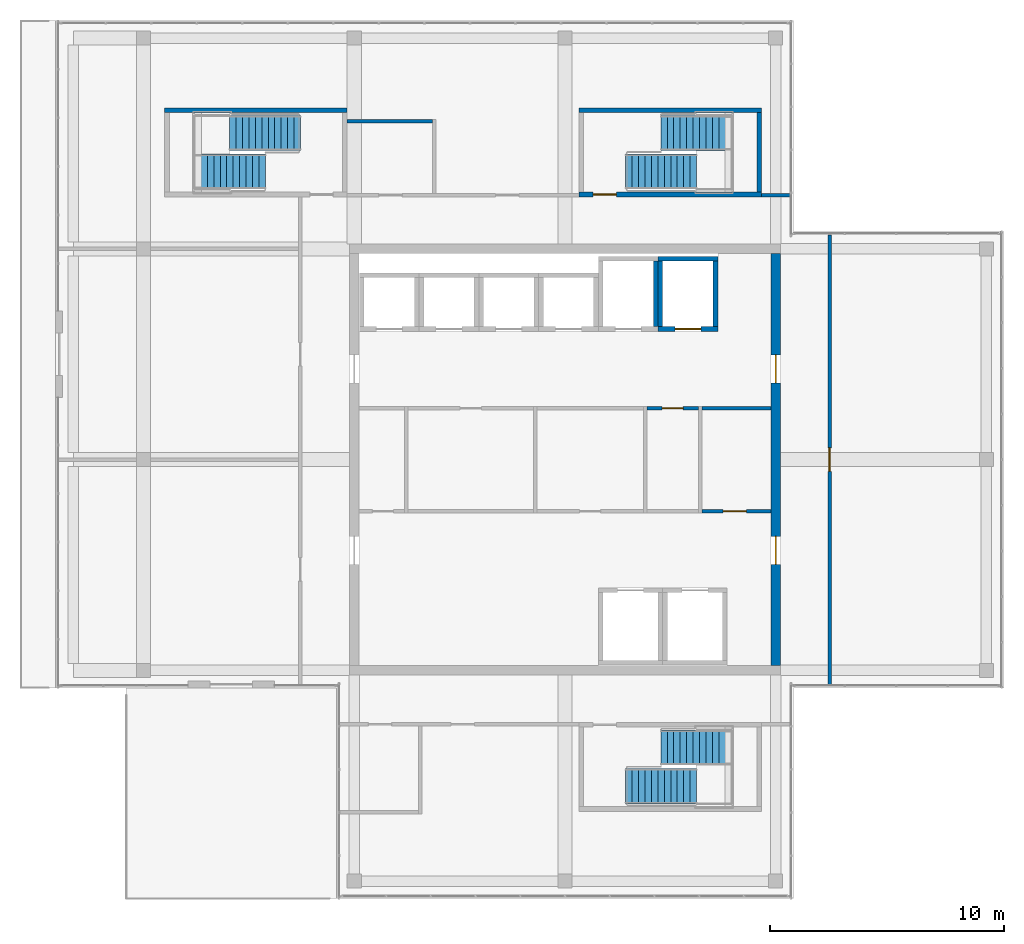
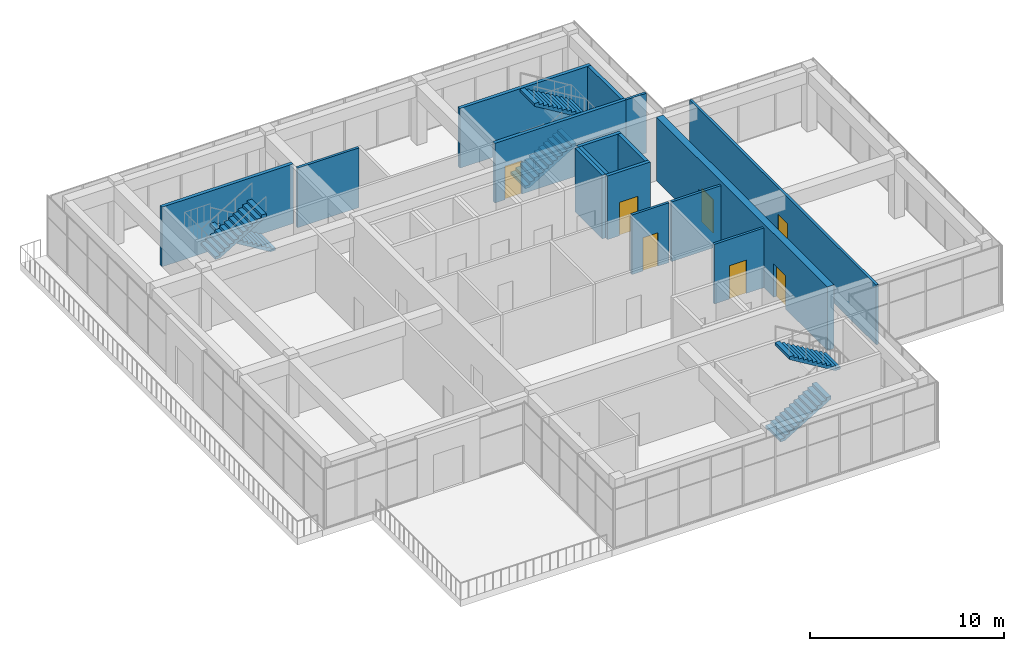
# One storey, part 30 of 32: 16 walls, 7 doors, 6 stair flights, 7 openings, 3 elements without a shape of their own.
"""IFC4 building model written with IfcOpenShell, lengths in metres."""

from ifc_helpers import new_model, si_unit, direction, frame, frame_2d, origin, place, context, subcontext, project, spatial, polyline, rectangle, outline, extrude, material, layer, layer_set, type_object, element, fill, aggregate, save


model = new_model("IFC4")

# Units and contexts
model_context = context("Model", 3, precision=1e-05, world=origin(), true_north=direction((0.0, 1.0)))
body_context = subcontext(model_context, "Body", "Model", "MODEL_VIEW")
ifc_project = project(units=[si_unit("LENGTHUNIT", "METRE"), si_unit("AREAUNIT", "SQUARE_METRE"), si_unit("VOLUMEUNIT", "CUBIC_METRE"), si_unit("PLANEANGLEUNIT", "RADIAN"), si_unit("MASSUNIT", "GRAM", prefix="KILO")], contexts=[model_context])

# Site, building, storey
site_placement = place(None, origin())
site = spatial("IfcSite", under=ifc_project, at=site_placement, CompositionType="ELEMENT")
building_placement = place(site_placement, origin())
building = spatial("IfcBuilding", under=site, at=building_placement, Name="Tuart Plaza Theatre", CompositionType="ELEMENT")
storey_placement = place(building_placement, frame((0.0, 0.0, 41.5)))
storey = spatial("IfcBuildingStorey", under=building, at=storey_placement, Name="L10", CompositionType="ELEMENT", Elevation=41.5)

# Wall, opening, door
ifc_material_1 = material(Name="Masonry block", Category="masonry")
ifc_layer_1 = layer(ifc_material_1, 0.14990234375)
ifc_layer_set_1 = layer_set([ifc_layer_1], Name="PARTITION BLK150 MASONRYB FRL -/120/120")
wall_type_1 = type_object("IfcWallType", Name="PARTITION BLK150 MASONRYB FRL -/120/120", PredefinedType="PARTITIONING", material=ifc_layer_set_1)
wall_1_placement = place(storey_placement, frame((135.5, 76.199951171875, 0.0), z_axis=(0.0, 0.0, 1.0), x_axis=(1.0, 0.0, 0.0)))
wall_1 = element("IfcWall", 1, at=wall_1_placement, inside=storey, type_object=wall_type_1, Name="P677", PredefinedType="PARTITIONING", context=body_context, shape_type="SweptSolid", body=[
    extrude(rectangle(XDim=2.199951171875, YDim=0.14990234375, at=frame_2d((1.10009765625, 0.0))), origin(), (0.0, 0.0, 1.0), 3.75),
])
opening_1_placement = place(wall_1_placement, frame((0.64990234375, 0.0, 0.0)))
opening_1 = element("IfcOpeningElement", 2, at=opening_1_placement, cuts=wall_1, Name="Opening L10-021", PredefinedType="OPENING", context=body_context, shape_type="SweptSolid", body=[
    extrude(rectangle(XDim=0.89990234375, YDim=2.10009765625, at=frame_2d((0.449951171875, 1.050048828125))), frame((0.0, 0.0849609375, 0.0), z_axis=(0.0, -1.0, 0.0), x_axis=(1.0, 0.0, 0.0)), (0.0, 0.0, 1.0), 0.169921875),
])
ifc_material_2 = material(Name="Steel Grade 300", Category="steel")
door_type_1 = type_object("IfcDoorType", Name="DOOR 900x2100 steel single swing FRL -/120/30", OperationType="SINGLE_SWING_LEFT", PredefinedType="DOOR", material=ifc_material_2)
door_1_placement = place(opening_1_placement, frame((0.89990234375, 0.0, 0.0), z_axis=(0.0, 0.0, 1.0), x_axis=(-1.0, 0.0, 0.0)))
door_1 = element("IfcDoor", 3, at=door_1_placement, inside=storey, type_object=door_type_1, Name="L10-021", OperationType="SINGLE_SWING_LEFT", OverallHeight=2.10009765625, OverallWidth=0.89990234375, PredefinedType="DOOR", context=body_context, shape_type="SweptSolid", body=[
    extrude(rectangle(XDim=0.89990234375, YDim=2.10009765625, at=frame_2d((0.449951171875, 1.050048828125))), frame((0.0, 0.02490234375, 0.0), z_axis=(0.0, -1.0, 0.0), x_axis=(1.0, 0.0, 0.0)), (0.0, 0.0, 1.0), 0.050048828125),
])
fill(opening_1, door_1)

wall_2_placement = place(storey_placement, frame((137.85009765625, 71.800048828125, 0.0), z_axis=(0.0, 0.0, 1.0), x_axis=(1.0, 0.0, 0.0)))
wall_2 = element("IfcWall", 4, at=wall_2_placement, inside=storey, type_object=wall_type_1, Name="P678", PredefinedType="PARTITIONING", context=body_context, shape_type="SweptSolid", body=[
    extrude(rectangle(XDim=2.949951171875, YDim=0.14990234375, at=frame_2d((1.47509765625, 0.0))), origin(), (0.0, 0.0, 1.0), 3.75),
])
opening_2_placement = place(wall_2_placement, frame((0.89990234375, 0.0, 0.0)))
opening_2 = element("IfcOpeningElement", 5, at=opening_2_placement, cuts=wall_2, Name="Opening L10-022", PredefinedType="OPENING", context=body_context, shape_type="SweptSolid", body=[
    extrude(rectangle(XDim=1.0, YDim=2.10009765625, at=frame_2d((0.5, 1.050048828125))), frame((0.0, 0.0849609375, 0.0), z_axis=(0.0, -1.0, 0.0), x_axis=(1.0, 0.0, 0.0)), (0.0, 0.0, 1.0), 0.169921875),
])
ifc_material_3 = material(Name="Steel Grade 300", Category="steel")
door_type_2 = type_object("IfcDoorType", Name="DOOR 1000x2100 steel single swing FRL -/120/30", OperationType="SINGLE_SWING_LEFT", PredefinedType="DOOR", material=ifc_material_3)
door_2_placement = place(opening_2_placement, origin())
door_2 = element("IfcDoor", 6, at=door_2_placement, inside=storey, type_object=door_type_2, Name="L10-022", OperationType="SINGLE_SWING_RIGHT", OverallHeight=2.10009765625, OverallWidth=1.0, PredefinedType="DOOR", context=body_context, shape_type="SweptSolid", body=[
    extrude(rectangle(XDim=1.0, YDim=2.10009765625, at=frame_2d((0.5, 1.050048828125))), frame((0.0, 0.02490234375, 0.0), z_axis=(0.0, -1.0, 0.0), x_axis=(1.0, 0.0, 0.0)), (0.0, 0.0, 1.0), 0.050048828125),
])
fill(opening_2, door_2)

# Wall
wall_3_placement = place(storey_placement, frame((137.85009765625, 76.199951171875, 0.0), z_axis=(0.0, 0.0, 1.0), x_axis=(1.0, 0.0, 0.0)))
element("IfcWall", 7, at=wall_3_placement, inside=storey, type_object=wall_type_1, Name="P679", PredefinedType="PARTITIONING", context=body_context, shape_type="SweptSolid", body=[
    extrude(rectangle(XDim=2.949951171875, YDim=0.14990234375, at=frame_2d((1.47509765625, 0.0))), origin(), (0.0, 0.0, 1.0), 3.75),
])

# Wall, opening, door
ifc_material_4 = material(Name="Masonry block", Category="masonry")
ifc_layer_2 = layer(ifc_material_4, 0.14990234375)
ifc_layer_set_2 = layer_set([ifc_layer_2], Name="PARTITION BLK150 MASONRYB FRL 120/-/-")
wall_type_2 = type_object("IfcWallType", Name="PARTITION BLK150 MASONRYB FRL 120/-/-", PredefinedType="PARTITIONING", material=ifc_layer_set_2)
wall_4_placement = place(storey_placement, frame((143.300048828125, 83.60009765625, 0.0), z_axis=(0.0, 0.0, 1.0), x_axis=(0.0, -1.0, 0.0)))
wall_4 = element("IfcWall", 8, at=wall_4_placement, inside=storey, type_object=wall_type_2, Name="P683", PredefinedType="PARTITIONING", context=body_context, shape_type="SweptSolid", body=[
    extrude(rectangle(XDim=19.2001953125, YDim=0.14990234375, at=frame_2d((9.60009765625, 0.0))), origin(), (0.0, 0.0, 1.0), 3.75),
])
opening_3_placement = place(wall_4_placement, frame((9.10009765625, 0.0, 0.0)))
opening_3 = element("IfcOpeningElement", 9, at=opening_3_placement, cuts=wall_4, Name="Opening L10-027", PredefinedType="OPENING", context=body_context, shape_type="SweptSolid", body=[
    extrude(rectangle(XDim=1.0, YDim=2.10009765625, at=frame_2d((0.5, 1.050048828125))), frame((0.0, 0.0849609375, 0.0), z_axis=(0.0, -1.0, 0.0), x_axis=(1.0, 0.0, 0.0)), (0.0, 0.0, 1.0), 0.169921875),
])
ifc_material_5 = material(Name="Timber", Category="wood")
door_type_3 = type_object("IfcDoorType", Name="DOOR 1000x2100 timber single swing FRL -/60/30", OperationType="SINGLE_SWING_LEFT", PredefinedType="DOOR", material=ifc_material_5)
door_3_placement = place(opening_3_placement, origin())
door_3 = element("IfcDoor", 10, at=door_3_placement, inside=storey, type_object=door_type_3, Name="L10-027", OperationType="SINGLE_SWING_LEFT", OverallHeight=2.10009765625, OverallWidth=1.0, PredefinedType="DOOR", context=body_context, shape_type="SweptSolid", body=[
    extrude(rectangle(XDim=1.0, YDim=2.10009765625, at=frame_2d((0.5, 1.050048828125))), frame((0.0, 0.02490234375, 0.0), z_axis=(0.0, -1.0, 0.0), x_axis=(1.0, 0.0, 0.0)), (0.0, 0.0, 1.0), 0.050048828125),
])
fill(opening_3, door_3)

# Walls
wall_5_placement = place(storey_placement, frame((140.39990234375, 85.300048828125, 0.0), z_axis=(0.0, 0.0, 1.0), x_axis=(1.0, 0.0, 0.0)))
element("IfcWall", 11, at=wall_5_placement, inside=storey, type_object=wall_type_2, Name="P685", PredefinedType="PARTITIONING", context=body_context, shape_type="SweptSolid", body=[
    extrude(rectangle(XDim=1.2001953125, YDim=0.14990234375, at=frame_2d((0.60009765625, 0.0))), origin(), (0.0, 0.0, 1.0), 3.75),
])
wall_6_placement = place(storey_placement, frame((122.699951171875, 88.449951171875, 0.0), z_axis=(0.0, 0.0, 1.0), x_axis=(1.0, 0.0, 0.0)))
element("IfcWall", 12, at=wall_6_placement, inside=storey, type_object=wall_type_2, Name="P690", PredefinedType="PARTITIONING", context=body_context, shape_type="SweptSolid", body=[
    extrude(rectangle(XDim=3.650146484375, YDim=0.14990234375, at=frame_2d((1.8251953125, 0.0))), origin(), (0.0, 0.0, 1.0), 3.75),
])
ifc_material_6 = material(Name="Concrete N40 (40 MPa)", Category="concrete")
ifc_layer_3 = layer(ifc_material_6, 0.199951171875)
ifc_layer_set_3 = layer_set([ifc_layer_3], Name="SHEAR WALL RC200 FRL 120/120/120")
wall_type_3 = type_object("IfcWallType", Name="SHEAR WALL RC200 FRL 120/120/120", PredefinedType="SHEAR", material=ifc_layer_set_3)
wall_7_placement = place(storey_placement, frame((135.875, 79.675048828125, 0.0), z_axis=(0.0, 0.0, 1.0), x_axis=(0.0, 1.0, 0.0)))
element("IfcWall", 13, at=wall_7_placement, inside=storey, type_object=wall_type_3, Name="W1207", PredefinedType="SHEAR", context=body_context, shape_type="SweptSolid", body=[
    extrude(rectangle(XDim=2.800048828125, YDim=0.199951171875, at=frame_2d((1.39990234375, 0.0))), origin(), (0.0, 0.0, 1.0), 4.0),
])

# Wall, opening, door
wall_8_placement = place(storey_placement, frame((135.97509765625, 79.574951171875, 0.0), z_axis=(0.0, 0.0, 1.0), x_axis=(1.0, 0.0, 0.0)))
wall_8 = element("IfcWall", 14, at=wall_8_placement, inside=storey, type_object=wall_type_3, Name="W1282", PredefinedType="SHEAR", context=body_context, shape_type="SweptSolid", body=[
    extrude(rectangle(XDim=2.5498046875, YDim=0.199951171875, at=frame_2d((1.27490234375, 0.0))), origin(), (0.0, 0.0, 1.0), 4.0),
])
opening_4_placement = place(wall_8_placement, frame((0.72509765625, 0.0, 0.0)))
opening_4 = element("IfcOpeningElement", 15, at=opening_4_placement, cuts=wall_8, Name="Opening L10-010", PredefinedType="OPENING", context=body_context, shape_type="SweptSolid", body=[
    extrude(rectangle(XDim=1.10009765625, YDim=2.10009765625, at=frame_2d((0.550048828125, 1.050048828125))), frame((0.0, 0.10986328125, 0.0), z_axis=(0.0, -1.0, 0.0), x_axis=(1.0, 0.0, 0.0)), (0.0, 0.0, 1.0), 0.219970703125),
])
ifc_material_7 = material(Name="Steel Grade 300", Category="steel")
door_type_4 = type_object("IfcDoorType", Name="LANDING DOOR 1100x2100 steel sliding FRL -/120/30", OperationType="SLIDING_TO_LEFT", PredefinedType="DOOR", material=ifc_material_7)
door_4_placement = place(opening_4_placement, origin())
door_4 = element("IfcDoor", 16, at=door_4_placement, inside=storey, type_object=door_type_4, Name="L10-010", OperationType="SLIDING_TO_LEFT", OverallHeight=2.10009765625, OverallWidth=1.10009765625, PredefinedType="DOOR", context=body_context, shape_type="SweptSolid", body=[
    extrude(rectangle(XDim=1.10009765625, YDim=2.10009765625, at=frame_2d((0.550048828125, 1.050048828125))), frame((0.0, 0.02490234375, 0.0), z_axis=(0.0, -1.0, 0.0), x_axis=(1.0, 0.0, 0.0)), (0.0, 0.0, 1.0), 0.050048828125),
])
fill(opening_4, door_4)

# Walls
wall_9_placement = place(storey_placement, frame((138.425048828125, 79.675048828125, 0.0), z_axis=(0.0, 0.0, 1.0), x_axis=(0.0, 1.0, 0.0)))
element("IfcWall", 17, at=wall_9_placement, inside=storey, type_object=wall_type_3, Name="W1283", PredefinedType="SHEAR", context=body_context, shape_type="SweptSolid", body=[
    extrude(rectangle(XDim=2.800048828125, YDim=0.199951171875, at=frame_2d((1.39990234375, 0.0))), origin(), (0.0, 0.0, 1.0), 4.0),
])
wall_10_placement = place(storey_placement, frame((138.52490234375, 82.574951171875, 0.0), z_axis=(0.0, 0.0, 1.0), x_axis=(-1.0, 0.0, 0.0)))
element("IfcWall", 18, at=wall_10_placement, inside=storey, type_object=wall_type_3, Name="W1284", PredefinedType="SHEAR", context=body_context, shape_type="SweptSolid", body=[
    extrude(rectangle(XDim=2.5498046875, YDim=0.199951171875, at=frame_2d((1.27490234375, 0.0))), origin(), (0.0, 0.0, 1.0), 4.0),
])
wall_11_placement = place(storey_placement, frame((136.074951171875, 82.47509765625, 0.0), z_axis=(0.0, 0.0, 1.0), x_axis=(0.0, -1.0, 0.0)))
element("IfcWall", 19, at=wall_11_placement, inside=storey, type_object=wall_type_3, Name="W1285", PredefinedType="SHEAR", context=body_context, shape_type="SweptSolid", body=[
    extrude(rectangle(XDim=2.800048828125, YDim=0.199951171875, at=frame_2d((1.39990234375, 0.0))), origin(), (0.0, 0.0, 1.0), 4.0),
])

# Wall, opening, door
wall_12_placement = place(storey_placement, frame((132.60009765625, 85.324951171875, 0.0), z_axis=(0.0, 0.0, 1.0), x_axis=(1.0, 0.0, 0.0)))
wall_12 = element("IfcWall", 20, at=wall_12_placement, inside=storey, type_object=wall_type_3, Name="P436", PredefinedType="SHEAR", context=body_context, shape_type="SweptSolid", body=[
    extrude(rectangle(XDim=7.7998046875, YDim=0.199951171875, at=frame_2d((3.89990234375, 0.0))), origin(), (0.0, 0.0, 1.0), 3.75),
])
opening_5_placement = place(wall_12_placement, frame((0.60009765625, 0.0, 0.0)))
opening_5 = element("IfcOpeningElement", 21, at=opening_5_placement, cuts=wall_12, Name="Opening L10-012", PredefinedType="OPENING", context=body_context, shape_type="SweptSolid", body=[
    extrude(rectangle(XDim=1.0, YDim=2.10009765625, at=frame_2d((0.5, 1.050048828125))), frame((0.0, 0.10986328125, 0.0), z_axis=(0.0, -1.0, 0.0), x_axis=(1.0, 0.0, 0.0)), (0.0, 0.0, 1.0), 0.219970703125),
])
door_5_placement = place(opening_5_placement, origin())
door_5 = element("IfcDoor", 22, at=door_5_placement, inside=storey, type_object=door_type_2, Name="L10-012", OperationType="SINGLE_SWING_RIGHT", OverallHeight=2.10009765625, OverallWidth=1.0, PredefinedType="DOOR", context=body_context, shape_type="SweptSolid", body=[
    extrude(rectangle(XDim=1.0, YDim=2.10009765625, at=frame_2d((0.5, 1.050048828125))), frame((0.0, 0.02490234375, 0.0), z_axis=(0.0, -1.0, 0.0), x_axis=(1.0, 0.0, 0.0)), (0.0, 0.0, 1.0), 0.050048828125),
])
fill(opening_5, door_5)

# Walls
wall_13_placement = place(storey_placement, frame((140.300048828125, 85.425048828125, 0.0), z_axis=(0.0, 0.0, 1.0), x_axis=(0.0, 1.0, 0.0)))
element("IfcWall", 23, at=wall_13_placement, inside=storey, type_object=wall_type_3, Name="P437", PredefinedType="SHEAR", context=body_context, shape_type="SweptSolid", body=[
    extrude(rectangle(XDim=3.39990234375, YDim=0.199951171875, at=frame_2d((1.699951171875, 0.0))), origin(), (0.0, 0.0, 1.0), 3.75),
])
wall_14_placement = place(storey_placement, frame((140.39990234375, 88.925048828125, 0.0), z_axis=(0.0, 0.0, 1.0), x_axis=(-1.0, 0.0, 0.0)))
element("IfcWall", 24, at=wall_14_placement, inside=storey, type_object=wall_type_3, Name="P438", PredefinedType="SHEAR", context=body_context, shape_type="SweptSolid", body=[
    extrude(rectangle(XDim=7.7998046875, YDim=0.199951171875, at=frame_2d((3.89990234375, 0.0))), origin(), (0.0, 0.0, 1.0), 3.75),
])
wall_15_placement = place(storey_placement, frame((122.699951171875, 88.925048828125, 0.0), z_axis=(0.0, 0.0, 1.0), x_axis=(-1.0, 0.0, 0.0)))
element("IfcWall", 25, at=wall_15_placement, inside=storey, type_object=wall_type_3, Name="P466", PredefinedType="SHEAR", context=body_context, shape_type="SweptSolid", body=[
    extrude(rectangle(XDim=7.800048828125, YDim=0.199951171875, at=frame_2d((3.89990234375, 0.0))), origin(), (0.0, 0.0, 1.0), 3.75),
])

# Wall, openings, doors
ifc_material_8 = material(Name="Concrete N50 (50 MPa)", Category="concrete")
ifc_layer_4 = layer(ifc_material_8, 0.39990234375)
ifc_layer_set_4 = layer_set([ifc_layer_4], Name="SHEAR WALL RC400 N50 FRL 120/120/120")
wall_type_4 = type_object("IfcWallType", Name="SHEAR WALL RC400 N50 FRL 120/120/120", PredefinedType="SHEAR", material=ifc_layer_set_4)
wall_16_placement = place(storey_placement, frame((141.0, 65.199951171875, 0.0), z_axis=(0.0, 0.0, 1.0), x_axis=(0.0, 1.0, 0.0)))
wall_16 = element("IfcWall", 26, at=wall_16_placement, inside=storey, type_object=wall_type_4, Name="W412", PredefinedType="SHEAR", context=body_context, shape_type="SweptSolid", body=[
    extrude(rectangle(XDim=17.60009765625, YDim=0.39990234375, at=frame_2d((8.800048828125, 0.0))), origin(), (0.0, 0.0, 1.0), 4.0),
])
opening_6_placement = place(wall_16_placement, frame((4.324951171875, 0.0, 0.0)))
opening_6 = element("IfcOpeningElement", 27, at=opening_6_placement, cuts=wall_16, Name="Opening L10-015", PredefinedType="OPENING", context=body_context, shape_type="SweptSolid", body=[
    extrude(rectangle(XDim=1.199951171875, YDim=2.10009765625, at=frame_2d((0.60009765625, 1.050048828125))), frame((0.0, 0.2099609375, 0.0), z_axis=(0.0, -1.0, 0.0), x_axis=(1.0, 0.0, 0.0)), (0.0, 0.0, 1.0), 0.419921875),
])
opening_7_placement = place(wall_16_placement, frame((12.074951171875, 0.0, 0.0)))
opening_7 = element("IfcOpeningElement", 28, at=opening_7_placement, cuts=wall_16, Name="Opening L10-017", PredefinedType="OPENING", context=body_context, shape_type="SweptSolid", body=[
    extrude(rectangle(XDim=1.199951171875, YDim=2.10009765625, at=frame_2d((0.60009765625, 1.050048828125))), frame((0.0, 0.2099609375, 0.0), z_axis=(0.0, -1.0, 0.0), x_axis=(1.0, 0.0, 0.0)), (0.0, 0.0, 1.0), 0.419921875),
])
ifc_material_9 = material(Name="Steel Grade 300", Category="steel")
door_type_5 = type_object("IfcDoorType", Name="DOOR 1200x2100 steel single swing FRL -/120/30", OperationType="SINGLE_SWING_LEFT", PredefinedType="DOOR", material=ifc_material_9)
door_6_placement = place(opening_6_placement, frame((1.199951171875, 0.0, 0.0), z_axis=(0.0, 0.0, 1.0), x_axis=(-1.0, 0.0, 0.0)))
door_6 = element("IfcDoor", 29, at=door_6_placement, inside=storey, type_object=door_type_5, Name="L10-015", OperationType="SINGLE_SWING_LEFT", OverallHeight=2.10009765625, OverallWidth=1.199951171875, PredefinedType="DOOR", context=body_context, shape_type="SweptSolid", body=[
    extrude(rectangle(XDim=1.199951171875, YDim=2.10009765625, at=frame_2d((0.60009765625, 1.050048828125))), frame((0.0, 0.02490234375, 0.0), z_axis=(0.0, -1.0, 0.0), x_axis=(1.0, 0.0, 0.0)), (0.0, 0.0, 1.0), 0.050048828125),
])
fill(opening_6, door_6)
door_7_placement = place(opening_7_placement, frame((1.199951171875, 0.0, 0.0), z_axis=(0.0, 0.0, 1.0), x_axis=(-1.0, 0.0, 0.0)))
door_7 = element("IfcDoor", 30, at=door_7_placement, inside=storey, type_object=door_type_5, Name="L10-017", OperationType="SINGLE_SWING_RIGHT", OverallHeight=2.10009765625, OverallWidth=1.199951171875, PredefinedType="DOOR", context=body_context, shape_type="SweptSolid", body=[
    extrude(rectangle(XDim=1.199951171875, YDim=2.10009765625, at=frame_2d((0.60009765625, 1.050048828125))), frame((0.0, 0.02490234375, 0.0), z_axis=(0.0, -1.0, 0.0), x_axis=(1.0, 0.0, 0.0)), (0.0, 0.0, 1.0), 0.050048828125),
])
fill(opening_7, door_7)

# Stair, stair flights
ifc_material_10 = material(Name="Concrete N40 (40 MPa)", Category="concrete")
stair_type = type_object("IfcStairType", Name="STAIR half turn 1500", PredefinedType="HALF_TURN_STAIR", material=ifc_material_10)
stair_1_placement = place(storey_placement, origin())
stair_1 = element("IfcStair", 31, at=stair_1_placement, inside=storey, type_object=stair_type, Name="SC-5", PredefinedType="HALF_TURN_STAIR")
ifc_material_11 = material(Name="Concrete N40 (40 MPa)", Category="concrete")
stair_flight_type = type_object("IfcStairFlightType", Name="STAIR FLIGHT 166.7 275 1500", PredefinedType="STRAIGHT", material=ifc_material_11)
stair_flight_1_placement = place(storey_placement, frame((134.594970703125, 60.050048828125, 0.0), z_axis=(0.0, 0.0, 1.0), x_axis=(1.0, 0.0, 0.0)))
stair_flight_1 = element("IfcStairFlight", 32, at=stair_flight_1_placement, type_object=stair_flight_type, Name="SC-5 flight 1", NumberOfRisers=12, NumberOfTreads=11, PredefinedType="STRAIGHT", RiserHeight=0.166666667, TreadLength=0.275, context=body_context, shape_type="SweptSolid", body=[
    extrude(outline(polyline([(0.0, 0.0), (0.0, 0.166748046875), (0.27490234375, 0.166748046875), (0.27490234375, 0.333251953125), (0.550048828125, 0.333251953125), (0.550048828125, 0.5), (0.824951171875, 0.5), (0.824951171875, 0.666748046875), (1.10009765625, 0.666748046875), (1.10009765625, 0.833251953125), (1.375, 0.833251953125), (1.375, 1.0), (1.64990234375, 1.0), (1.64990234375, 1.166748046875), (1.925048828125, 1.166748046875), (1.925048828125, 1.333251953125), (2.199951171875, 1.333251953125), (2.199951171875, 1.5), (2.47509765625, 1.5), (2.47509765625, 1.666748046875), (2.75, 1.666748046875), (2.75, 1.833251953125), (3.02490234375, 1.833251953125), (3.02490234375, 2.0), (3.02490234375, 1.657958984375), (0.289306640625, 0.0), (0.0, 0.0)])), frame((0.0, 0.75, 0.0), z_axis=(0.0, -1.0, 0.0), x_axis=(1.0, 0.0, 0.0)), (0.0, 0.0, 1.0), 1.5),
])
stair_flight_2_placement = place(storey_placement, frame((139.1201171875, 61.699951171875, 2.0), z_axis=(0.0, 0.0, 1.0), x_axis=(-1.0, 0.0, 0.0)))
stair_flight_2 = element("IfcStairFlight", 33, at=stair_flight_2_placement, type_object=stair_flight_type, Name="SC-5 flight 2", NumberOfRisers=12, NumberOfTreads=11, PredefinedType="STRAIGHT", RiserHeight=0.166666667, TreadLength=0.275, context=body_context, shape_type="SweptSolid", body=[
    extrude(outline(polyline([(0.0, 0.0), (0.0, 0.166748046875), (0.27490234375, 0.166748046875), (0.27490234375, 0.333251953125), (0.550048828125, 0.333251953125), (0.550048828125, 0.5), (0.824951171875, 0.5), (0.824951171875, 0.666748046875), (1.10009765625, 0.666748046875), (1.10009765625, 0.833251953125), (1.375, 0.833251953125), (1.375, 1.0), (1.64990234375, 1.0), (1.64990234375, 1.166748046875), (1.925048828125, 1.166748046875), (1.925048828125, 1.333251953125), (2.199951171875, 1.333251953125), (2.199951171875, 1.5), (2.47509765625, 1.5), (2.47509765625, 1.666748046875), (2.75, 1.666748046875), (2.75, 1.833251953125), (3.02490234375, 1.833251953125), (3.02490234375, 2.0), (3.02490234375, 1.657958984375), (0.289306640625, 0.0), (0.0, 0.0)])), frame((0.0, 0.75, 0.0), z_axis=(0.0, -1.0, 0.0), x_axis=(1.0, 0.0, 0.0)), (0.0, 0.0, 1.0), 1.5),
])
aggregate(stair_1, [stair_flight_1, stair_flight_2])

stair_2_placement = place(storey_placement, origin())
stair_2 = element("IfcStair", 34, at=stair_2_placement, inside=storey, type_object=stair_type, Name="SC-11", PredefinedType="HALF_TURN_STAIR")
stair_flight_3_placement = place(storey_placement, frame((134.594970703125, 86.300048828125, 0.0), z_axis=(0.0, 0.0, 1.0), x_axis=(1.0, 0.0, 0.0)))
stair_flight_3 = element("IfcStairFlight", 35, at=stair_flight_3_placement, type_object=stair_flight_type, Name="SC-11 flight 1", NumberOfRisers=12, NumberOfTreads=11, PredefinedType="STRAIGHT", RiserHeight=0.166666667, TreadLength=0.275, context=body_context, shape_type="SweptSolid", body=[
    extrude(outline(polyline([(0.0, 0.0), (0.0, 0.166748046875), (0.27490234375, 0.166748046875), (0.27490234375, 0.333251953125), (0.550048828125, 0.333251953125), (0.550048828125, 0.5), (0.824951171875, 0.5), (0.824951171875, 0.666748046875), (1.10009765625, 0.666748046875), (1.10009765625, 0.833251953125), (1.375, 0.833251953125), (1.375, 1.0), (1.64990234375, 1.0), (1.64990234375, 1.166748046875), (1.925048828125, 1.166748046875), (1.925048828125, 1.333251953125), (2.199951171875, 1.333251953125), (2.199951171875, 1.5), (2.47509765625, 1.5), (2.47509765625, 1.666748046875), (2.75, 1.666748046875), (2.75, 1.833251953125), (3.02490234375, 1.833251953125), (3.02490234375, 2.0), (3.02490234375, 1.657958984375), (0.289306640625, 0.0), (0.0, 0.0)])), frame((0.0, 0.75, 0.0), z_axis=(0.0, -1.0, 0.0), x_axis=(1.0, 0.0, 0.0)), (0.0, 0.0, 1.0), 1.5),
])
stair_flight_4_placement = place(storey_placement, frame((139.1201171875, 87.949951171875, 2.0), z_axis=(0.0, 0.0, 1.0), x_axis=(-1.0, 0.0, 0.0)))
stair_flight_4 = element("IfcStairFlight", 36, at=stair_flight_4_placement, type_object=stair_flight_type, Name="SC-11 flight 2", NumberOfRisers=12, NumberOfTreads=11, PredefinedType="STRAIGHT", RiserHeight=0.166666667, TreadLength=0.275, context=body_context, shape_type="SweptSolid", body=[
    extrude(outline(polyline([(0.0, 0.0), (0.0, 0.166748046875), (0.27490234375, 0.166748046875), (0.27490234375, 0.333251953125), (0.550048828125, 0.333251953125), (0.550048828125, 0.5), (0.824951171875, 0.5), (0.824951171875, 0.666748046875), (1.10009765625, 0.666748046875), (1.10009765625, 0.833251953125), (1.375, 0.833251953125), (1.375, 1.0), (1.64990234375, 1.0), (1.64990234375, 1.166748046875), (1.925048828125, 1.166748046875), (1.925048828125, 1.333251953125), (2.199951171875, 1.333251953125), (2.199951171875, 1.5), (2.47509765625, 1.5), (2.47509765625, 1.666748046875), (2.75, 1.666748046875), (2.75, 1.833251953125), (3.02490234375, 1.833251953125), (3.02490234375, 2.0), (3.02490234375, 1.657958984375), (0.289306640625, 0.0), (0.0, 0.0)])), frame((0.0, 0.75, 0.0), z_axis=(0.0, -1.0, 0.0), x_axis=(1.0, 0.0, 0.0)), (0.0, 0.0, 1.0), 1.5),
])
aggregate(stair_2, [stair_flight_3, stair_flight_4])

stair_3_placement = place(storey_placement, origin())
stair_3 = element("IfcStair", 37, at=stair_3_placement, inside=storey, type_object=stair_type, Name="SC-17", PredefinedType="HALF_TURN_STAIR")
stair_flight_5_placement = place(storey_placement, frame((120.705078125, 87.949951171875, 0.0), z_axis=(0.0, 0.0, 1.0), x_axis=(-1.0, 0.0, 0.0)))
stair_flight_5 = element("IfcStairFlight", 38, at=stair_flight_5_placement, type_object=stair_flight_type, Name="SC-17 flight 1", NumberOfRisers=12, NumberOfTreads=11, PredefinedType="STRAIGHT", RiserHeight=0.166666667, TreadLength=0.275, context=body_context, shape_type="SweptSolid", body=[
    extrude(outline(polyline([(0.0, 0.0), (0.0, 0.166748046875), (0.27490234375, 0.166748046875), (0.27490234375, 0.333251953125), (0.550048828125, 0.333251953125), (0.550048828125, 0.5), (0.824951171875, 0.5), (0.824951171875, 0.666748046875), (1.10009765625, 0.666748046875), (1.10009765625, 0.833251953125), (1.375, 0.833251953125), (1.375, 1.0), (1.64990234375, 1.0), (1.64990234375, 1.166748046875), (1.925048828125, 1.166748046875), (1.925048828125, 1.333251953125), (2.199951171875, 1.333251953125), (2.199951171875, 1.5), (2.47509765625, 1.5), (2.47509765625, 1.666748046875), (2.75, 1.666748046875), (2.75, 1.833251953125), (3.02490234375, 1.833251953125), (3.02490234375, 2.0), (3.02490234375, 1.657958984375), (0.289306640625, 0.0), (0.0, 0.0)])), frame((0.0, 0.75, 0.0), z_axis=(0.0, -1.0, 0.0), x_axis=(1.0, 0.0, 0.0)), (0.0, 0.0, 1.0), 1.5),
])
stair_flight_6_placement = place(storey_placement, frame((116.179931640625, 86.300048828125, 2.0), z_axis=(0.0, 0.0, 1.0), x_axis=(1.0, 0.0, 0.0)))
stair_flight_6 = element("IfcStairFlight", 39, at=stair_flight_6_placement, type_object=stair_flight_type, Name="SC-17 flight 2", NumberOfRisers=12, NumberOfTreads=11, PredefinedType="STRAIGHT", RiserHeight=0.166666667, TreadLength=0.275, context=body_context, shape_type="SweptSolid", body=[
    extrude(outline(polyline([(0.0, 0.0), (0.0, 0.166748046875), (0.27490234375, 0.166748046875), (0.27490234375, 0.333251953125), (0.550048828125, 0.333251953125), (0.550048828125, 0.5), (0.824951171875, 0.5), (0.824951171875, 0.666748046875), (1.10009765625, 0.666748046875), (1.10009765625, 0.833251953125), (1.375, 0.833251953125), (1.375, 1.0), (1.64990234375, 1.0), (1.64990234375, 1.166748046875), (1.925048828125, 1.166748046875), (1.925048828125, 1.333251953125), (2.199951171875, 1.333251953125), (2.199951171875, 1.5), (2.47509765625, 1.5), (2.47509765625, 1.666748046875), (2.75, 1.666748046875), (2.75, 1.833251953125), (3.02490234375, 1.833251953125), (3.02490234375, 2.0), (3.02490234375, 1.657958984375), (0.289306640625, 0.0), (0.0, 0.0)])), frame((0.0, 0.75, 0.0), z_axis=(0.0, -1.0, 0.0), x_axis=(1.0, 0.0, 0.0)), (0.0, 0.0, 1.0), 1.5),
])
aggregate(stair_3, [stair_flight_5, stair_flight_6])

save(model, "model.ifc")
